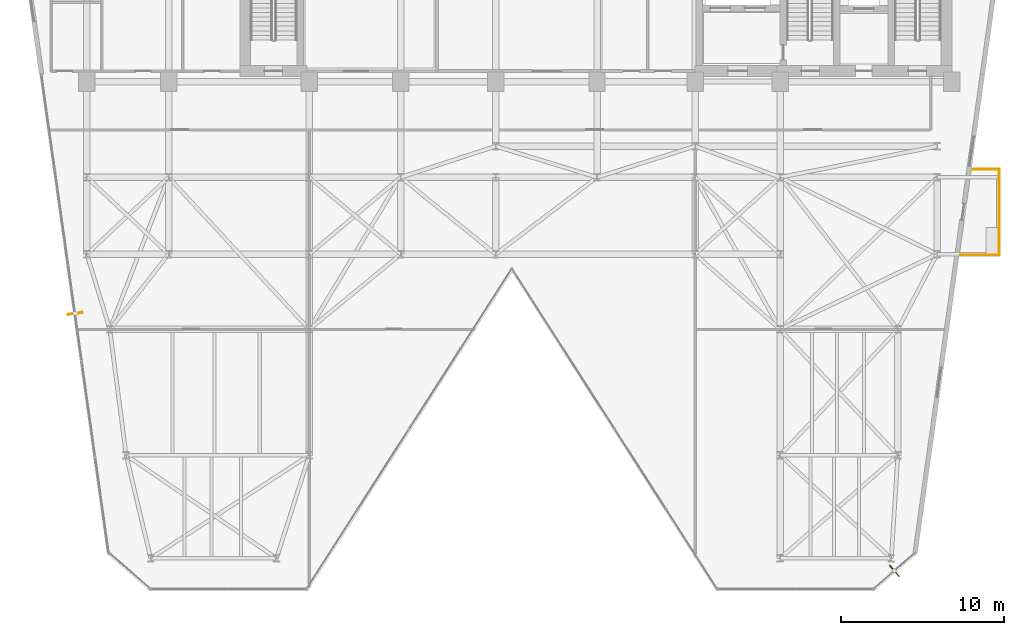
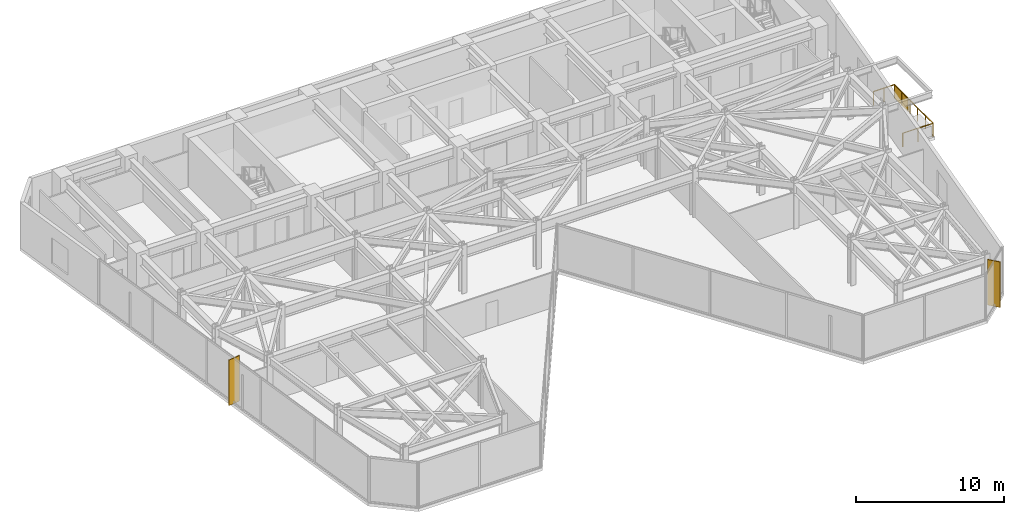
# One storey, part 24 of 26: 3 railings, 3 shading devices.
"""IFC4 building model written with IfcOpenShell, lengths in metres."""

from ifc_helpers import new_model, si_unit, direction, frame, origin, origin_2d, place, context, subcontext, project, spatial, rectangle, circle, extrude, material, layer, layer_set, type_object, element, save


model = new_model("IFC4")

# Units and contexts
model_context = context("Model", 3, precision=1e-05, world=origin(), true_north=direction((0.0, 1.0)))
body_context = subcontext(model_context, "Body", "Model", "MODEL_VIEW")
ifc_project = project(units=[si_unit("LENGTHUNIT", "METRE"), si_unit("AREAUNIT", "SQUARE_METRE"), si_unit("VOLUMEUNIT", "CUBIC_METRE"), si_unit("PLANEANGLEUNIT", "RADIAN"), si_unit("MASSUNIT", "GRAM", prefix="KILO")], contexts=[model_context])

# Site, building, storey
site_placement = place(None, origin())
site = spatial("IfcSite", under=ifc_project, at=site_placement, CompositionType="ELEMENT")
building_placement = place(site_placement, origin())
building = spatial("IfcBuilding", under=site, at=building_placement, Name="Kravanh Interchange Tower", CompositionType="ELEMENT")
storey_placement = place(building_placement, frame((0.0, 0.0, 148.0)))
storey = spatial("IfcBuildingStorey", under=building, at=storey_placement, Name="L35", CompositionType="ELEMENT", Elevation=148.0)

# Shading device
ifc_material_1 = material(Name="Perforated Anodised Bronze Aluminium", Category="aluminium")
ifc_layer_1 = layer(ifc_material_1, 0.0400390625)
ifc_layer_set_1 = layer_set([ifc_layer_1], Name="Perforated Bronze Balcony Privacy Screen 1150mm")
shading_device_type_1 = type_object("IfcShadingDeviceType", Name="Perforated Bronze Balcony Privacy Screen 1150mm", PredefinedType="USERDEFINED", material=ifc_layer_set_1)
shading_device_placement = place(storey_placement, frame((69.409912109375, 31.02001953125, 0.0), z_axis=(0.0, 0.0, 1.0), x_axis=(1.0, 0.0, 0.0)))
element("IfcShadingDevice", 1, at=shading_device_placement, inside=storey, type_object=shading_device_type_1, Name="L35 E Perforated Bronze BALCONY SCREEN", ObjectType="SCREEN", PredefinedType="USERDEFINED", context=body_context, shape_type="SweptSolid", body=[
    extrude(rectangle(XDim=0.0400390625, YDim=1.800048828125, at=origin_2d()), origin(), (0.0, 0.0, 1.0), 1.14990234375),
])

# Railings
ifc_material_2 = material(Name="Stainless Steel 316", Category="steel")
ifc_layer_2 = layer(ifc_material_2, 0.06005859375)
ifc_layer_set_2 = layer_set([ifc_layer_2], Name="Perimeter Balcony and Terrace Guardrail Stainless 316 1120mm")
railing_type = type_object("IfcRailingType", Name="Perimeter Balcony and Terrace Guardrail Stainless 316 1120mm", PredefinedType="GUARDRAIL", material=ifc_layer_set_2)
railing_1_placement = place(storey_placement, frame((69.409912109375, 31.989990234375, 0.0)))
element("IfcRailing", 2, at=railing_1_placement, inside=storey, type_object=railing_type, Name="L35 E Balcony Guardrail 1", PredefinedType="GUARDRAIL", context=body_context, shape_type="SweptSolid", body=[
    extrude(circle(Radius=0.02392578125, at=origin_2d()), frame((0.0, 0.0, 1.09619140625), z_axis=(0.0, -1.0, 0.0), x_axis=(1.0, 0.0, 0.0)), (0.0, 0.0, 1.0), 5.239990234375),
    extrude(circle(Radius=0.02099609375, at=origin_2d()), origin(), (0.0, 0.0, 1.0), 1.072021484375),
    extrude(circle(Radius=0.02099609375, at=origin_2d()), frame((0.0, -1.048095703125, 0.0)), (0.0, 0.0, 1.0), 1.072021484375),
    extrude(circle(Radius=0.02099609375, at=origin_2d()), frame((0.0, -2.095947265625, 0.0)), (0.0, 0.0, 1.0), 1.072021484375),
    extrude(circle(Radius=0.02099609375, at=origin_2d()), frame((0.0, -3.14404296875, 0.0)), (0.0, 0.0, 1.0), 1.072021484375),
    extrude(circle(Radius=0.02099609375, at=origin_2d()), frame((0.0, -4.19189453125, 0.0)), (0.0, 0.0, 1.0), 1.072021484375),
    extrude(circle(Radius=0.02099609375, at=origin_2d()), frame((0.0, -5.239990234375, 0.0)), (0.0, 0.0, 1.0), 1.072021484375),
])
railing_2_placement = place(storey_placement, frame((69.409912109375, 26.75, 0.0)))
element("IfcRailing", 3, at=railing_2_placement, inside=storey, type_object=railing_type, Name="L35 E Balcony Guardrail 2", PredefinedType="GUARDRAIL", context=body_context, shape_type="SweptSolid", body=[
    extrude(circle(Radius=0.02392578125, at=origin_2d()), frame((0.0, 0.0, 1.09619140625), z_axis=(-1.0, 0.0, 0.0), x_axis=(0.0, -1.0, 0.0)), (0.0, 0.0, 1.0), 2.370849609375),
    extrude(circle(Radius=0.02099609375, at=origin_2d()), origin(), (0.0, 0.0, 1.0), 1.072021484375),
    extrude(circle(Radius=0.02099609375, at=origin_2d()), frame((-1.185546875, 0.0, 0.0)), (0.0, 0.0, 1.0), 1.072021484375),
    extrude(circle(Radius=0.02099609375, at=origin_2d()), frame((-2.370849609375, 0.0, 0.0)), (0.0, 0.0, 1.0), 1.072021484375),
])
railing_3_placement = place(storey_placement, frame((67.775634765625, 31.989990234375, 0.0)))
element("IfcRailing", 4, at=railing_3_placement, inside=storey, type_object=railing_type, Name="L35 E Balcony Guardrail 3", PredefinedType="GUARDRAIL", context=body_context, shape_type="SweptSolid", body=[
    extrude(circle(Radius=0.02392578125, at=origin_2d()), frame((0.0, 0.0, 1.09619140625), z_axis=(1.0, 0.0, 0.0), x_axis=(0.0, 1.0, 0.0)), (0.0, 0.0, 1.0), 1.63427734375),
    extrude(circle(Radius=0.02099609375, at=origin_2d()), origin(), (0.0, 0.0, 1.0), 1.072021484375),
    extrude(circle(Radius=0.02099609375, at=origin_2d()), frame((0.817138671875, 0.0, 0.0)), (0.0, 0.0, 1.0), 1.072021484375),
    extrude(circle(Radius=0.02099609375, at=origin_2d()), frame((1.63427734375, 0.0, 0.0)), (0.0, 0.0, 1.0), 1.072021484375),
])

# Shading devices
ifc_material_3 = material(Name="Anodised Champagne Bronze Aluminium", Category="aluminium")
ifc_layer_3 = layer(ifc_material_3, 0.06005859375)
ifc_layer_set_3 = layer_set([ifc_layer_3], Name="Vertical Bronze Solar Fin 900mm")
shading_device_type_2 = type_object("IfcShadingDeviceType", Name="Vertical Bronze Solar Fin 900mm", PredefinedType="USERDEFINED", material=ifc_layer_set_3)
for number, where, z_axis, x_axis, name in (
    (5, (12.881103515625, 23.16943359375, 0.0), (0.0, 0.0, 1.0), (-0.990268017027, -0.139173468924, 0.0), "L35 BRONZE SOLAR FIN 1"),
    (6, (62.986328125, 7.429443359375, 0.0), (0.0, 0.0, 1.0), (0.656056045951, -0.754712173329, 0.0), "L35 BRONZE SOLAR FIN 2"),
):
    element("IfcShadingDevice", number, at=place(storey_placement, frame(where, z_axis=z_axis, x_axis=x_axis)), inside=storey, type_object=shading_device_type_2, Name=name, ObjectType="FIN", PredefinedType="USERDEFINED", context=body_context, shape_type="SweptSolid", body=[
        extrude(rectangle(XDim=0.89990234375, YDim=0.06005859375, at=origin_2d()), origin(), (0.0, 0.0, 1.0), 3.75),
    ])

save(model, "model.ifc")
